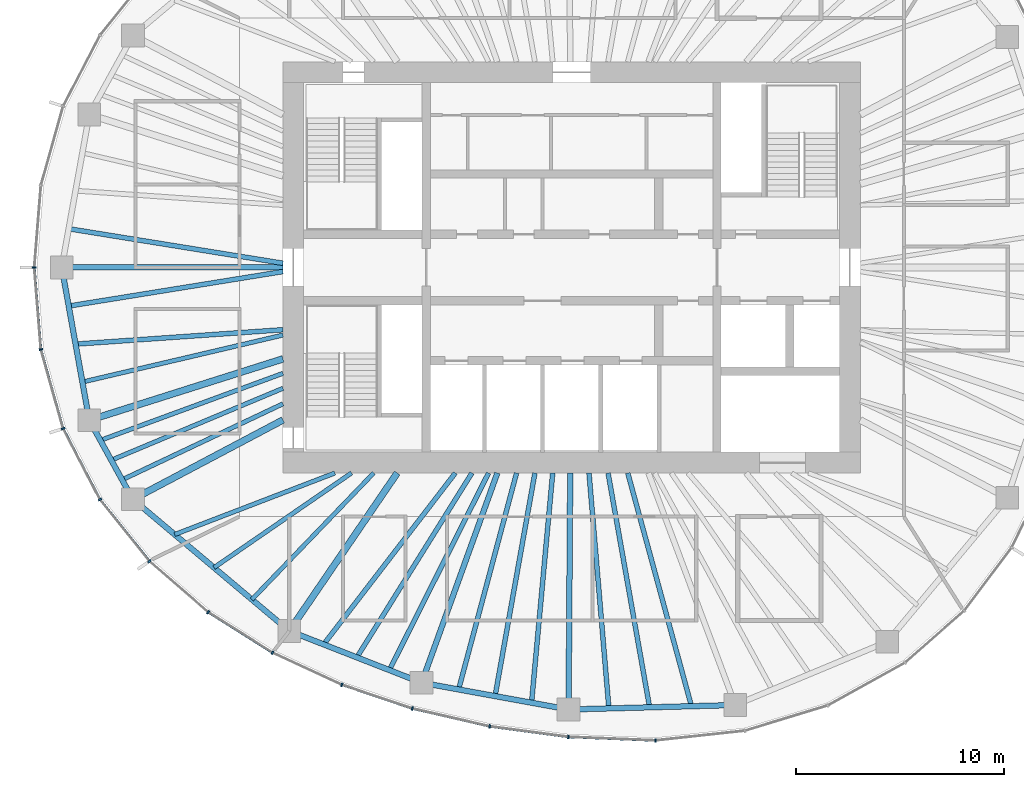
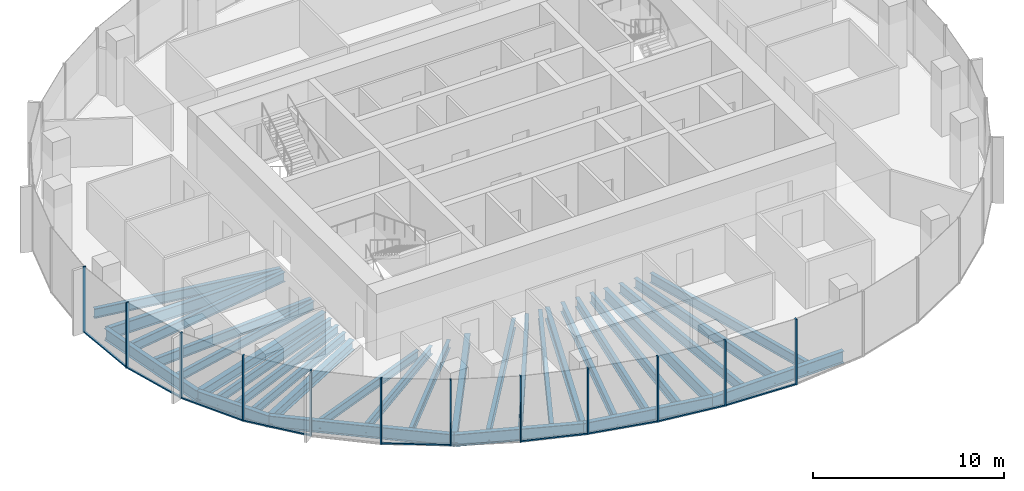
# One storey, part 2 of 12: 31 beams, 21 members, 6 elements without a shape of their own.
"""IFC4 building model written with IfcOpenShell, lengths in metres."""

from ifc_helpers import new_model, si_unit, direction, frame, origin, origin_2d, place, context, subcontext, project, spatial, rectangle, i_section, extrude, material, material_profile, profile_set, type_object, element, aggregate, save


model = new_model("IFC4")

# Units and contexts
model_context = context("Model", 3, precision=1e-05, world=origin(), true_north=direction((0.0, 1.0)))
body_context = subcontext(model_context, "Body", "Model", "MODEL_VIEW")
ifc_project = project(units=[si_unit("LENGTHUNIT", "METRE"), si_unit("AREAUNIT", "SQUARE_METRE"), si_unit("VOLUMEUNIT", "CUBIC_METRE"), si_unit("PLANEANGLEUNIT", "RADIAN"), si_unit("MASSUNIT", "GRAM", prefix="KILO")], contexts=[model_context])

# Site, building, storey
site_placement = place(None, origin())
site = spatial("IfcSite", under=ifc_project, at=site_placement, CompositionType="ELEMENT")
building_placement = place(site_placement, origin())
building = spatial("IfcBuilding", under=site, at=building_placement, Name="Ghaith Harvest Tower", CompositionType="ELEMENT")
storey_placement = place(building_placement, frame((0.0, 0.0, 300.60009765625)))
storey = spatial("IfcBuildingStorey", under=building, at=storey_placement, Name="L67", CompositionType="ELEMENT", Elevation=300.60009765625)

# Curtain wall, members
ifc_material_1 = material(Name="Black anodised aluminium and fritted glass", Category="aluminium")
curtain_wall_type = type_object("IfcCurtainWallType", Name="CW-T CURTAIN WALL", PredefinedType="NOTDEFINED", material=ifc_material_1)
curtain_wall_1_placement = place(storey_placement, origin())
curtain_wall_1 = element("IfcCurtainWall", 1, at=curtain_wall_1_placement, inside=storey, type_object=curtain_wall_type, Name="Curtain wall CW-T bay 11 L67", PredefinedType="NOTDEFINED")
ifc_material_2 = material(Name="Aluminium, black anodised", Category="aluminium")
ifc_material_profile_1 = material_profile(ifc_material_2, rectangle(XDim=0.080078125, YDim=0.179931640625, at=origin_2d()), Name="CW-T MULLION 80x180")
ifc_profile_set_1 = profile_set([ifc_material_profile_1], Name="Aluminium, black anodised")
member_type_1 = type_object("IfcMemberType", Name="CW-T MULLION 80x180", PredefinedType="MULLION", material=ifc_profile_set_1)
member_1_placement = place(storey_placement, frame((-25.8701171875, 0.0, 0.0), z_axis=(0.0, 0.0, 1.0), x_axis=(-1.05e-10, -1.0, 0.0)))
member_1 = element("IfcMember", 2, at=member_1_placement, type_object=member_type_1, Name="CW-T mullion 1 bay 11 L67", PredefinedType="MULLION", context=body_context, shape_type="SweptSolid", body=[
    extrude(rectangle(XDim=0.080078125, YDim=0.179931640625, at=origin_2d()), origin(), (0.0, 0.0, 1.0), 4.199951171875),
])
member_2_placement = place(storey_placement, frame((-25.5517578125, -3.9521484375, 0.0), z_axis=(0.0, 0.0, 1.0), x_axis=(0.176001391003, -0.98438991785, 0.0)))
member_2 = element("IfcMember", 3, at=member_2_placement, type_object=member_type_1, Name="CW-T mullion 2 bay 11 L67", PredefinedType="MULLION", context=body_context, shape_type="SweptSolid", body=[
    extrude(rectangle(XDim=0.080078125, YDim=0.179931640625, at=origin_2d()), origin(), (0.0, 0.0, 1.0), 4.199951171875),
])

curtain_wall_2_placement = place(storey_placement, origin())
curtain_wall_2 = element("IfcCurtainWall", 4, at=curtain_wall_2_placement, inside=storey, type_object=curtain_wall_type, Name="Curtain wall CW-T bay 12 L67", PredefinedType="NOTDEFINED")
member_3_placement = place(storey_placement, frame((-24.482666015625, -7.759033203125, 0.0), z_axis=(0.0, 0.0, 1.0), x_axis=(0.366473104734, -0.930428645038, 0.0)))
member_3 = element("IfcMember", 5, at=member_3_placement, type_object=member_type_1, Name="CW-T mullion 1 bay 12 L67", PredefinedType="MULLION", context=body_context, shape_type="SweptSolid", body=[
    extrude(rectangle(XDim=0.080078125, YDim=0.179931640625, at=origin_2d()), origin(), (0.0, 0.0, 1.0), 4.199951171875),
])
member_4_placement = place(storey_placement, frame((-22.706298828125, -11.176513671875, 0.0), z_axis=(0.0, 0.0, 1.0), x_axis=(0.545865412431, -0.837872873121, 0.0)))
member_4 = element("IfcMember", 6, at=member_4_placement, type_object=member_type_1, Name="CW-T mullion 2 bay 12 L67", PredefinedType="MULLION", context=body_context, shape_type="SweptSolid", body=[
    extrude(rectangle(XDim=0.080078125, YDim=0.179931640625, at=origin_2d()), origin(), (0.0, 0.0, 1.0), 4.199951171875),
])

curtain_wall_3_placement = place(storey_placement, origin())
curtain_wall_3 = element("IfcCurtainWall", 7, at=curtain_wall_3_placement, inside=storey, type_object=curtain_wall_type, Name="Curtain wall CW-T bay 13 L67", PredefinedType="NOTDEFINED")
member_5_placement = place(storey_placement, frame((-20.324462890625, -14.141845703125, 0.0), z_axis=(0.0, 0.0, 1.0), x_axis=(0.692826491831, -0.721104328248, 0.0)))
member_5 = element("IfcMember", 8, at=member_5_placement, type_object=member_type_1, Name="CW-T mullion 1 bay 13 L67", PredefinedType="MULLION", context=body_context, shape_type="SweptSolid", body=[
    extrude(rectangle(XDim=0.080078125, YDim=0.179931640625, at=origin_2d()), origin(), (0.0, 0.0, 1.0), 4.199951171875),
])
member_6_placement = place(storey_placement, frame((-17.49462890625, -16.600830078125, 0.0), z_axis=(0.0, 0.0, 1.0), x_axis=(0.802189888845, -0.59706899286, 0.0)))
member_6 = element("IfcMember", 9, at=member_6_placement, type_object=member_type_1, Name="CW-T mullion 2 bay 13 L67", PredefinedType="MULLION", context=body_context, shape_type="SweptSolid", body=[
    extrude(rectangle(XDim=0.080078125, YDim=0.179931640625, at=origin_2d()), origin(), (0.0, 0.0, 1.0), 4.199951171875),
])

curtain_wall_4_placement = place(storey_placement, origin())
curtain_wall_4 = element("IfcCurtainWall", 10, at=curtain_wall_4_placement, inside=storey, type_object=curtain_wall_type, Name="Curtain wall CW-T bay 14 L67", PredefinedType="NOTDEFINED")
member_7_placement = place(storey_placement, frame((-14.40478515625, -18.5478515625, 0.0), z_axis=(0.0, 0.0, 1.0), x_axis=(0.878671732732, -0.477426419564, 0.0)))
member_7 = element("IfcMember", 11, at=member_7_placement, type_object=member_type_1, Name="CW-T mullion 1 bay 14 L67", PredefinedType="MULLION", context=body_context, shape_type="SweptSolid", body=[
    extrude(rectangle(XDim=0.080078125, YDim=0.179931640625, at=origin_2d()), origin(), (0.0, 0.0, 1.0), 4.199951171875),
])
member_8_placement = place(storey_placement, frame((-11.0673828125, -20.093017578125, 0.0), z_axis=(0.0, 0.0, 1.0), x_axis=(0.92862442092, -0.371021138038, 0.0)))
member_8 = element("IfcMember", 12, at=member_8_placement, type_object=member_type_1, Name="CW-T mullion 2 bay 14 L67", PredefinedType="MULLION", context=body_context, shape_type="SweptSolid", body=[
    extrude(rectangle(XDim=0.080078125, YDim=0.179931640625, at=origin_2d()), origin(), (0.0, 0.0, 1.0), 4.199951171875),
])

curtain_wall_5_placement = place(storey_placement, origin())
curtain_wall_5 = element("IfcCurtainWall", 13, at=curtain_wall_5_placement, inside=storey, type_object=curtain_wall_type, Name="Curtain wall CW-T bay 15 L67", PredefinedType="NOTDEFINED")
member_9_placement = place(storey_placement, frame((-7.6708984375, -21.23828125, 0.0), z_axis=(0.0, 0.0, 1.0), x_axis=(0.962552491659, -0.271095372151, 0.0)))
member_9 = element("IfcMember", 14, at=member_9_placement, type_object=member_type_1, Name="CW-T mullion 1 bay 15 L67", PredefinedType="MULLION", context=body_context, shape_type="SweptSolid", body=[
    extrude(rectangle(XDim=0.080078125, YDim=0.179931640625, at=origin_2d()), origin(), (0.0, 0.0, 1.0), 4.199951171875),
])
member_10_placement = place(storey_placement, frame((-3.946533203125, -22.0986328125, 0.0), z_axis=(0.0, 0.0, 1.0), x_axis=(0.983843447712, -0.179030920217, 0.0)))
member_10 = element("IfcMember", 15, at=member_10_placement, type_object=member_type_1, Name="CW-T mullion 2 bay 15 L67", PredefinedType="MULLION", context=body_context, shape_type="SweptSolid", body=[
    extrude(rectangle(XDim=0.080078125, YDim=0.179931640625, at=origin_2d()), origin(), (0.0, 0.0, 1.0), 4.199951171875),
])

curtain_wall_6_placement = place(storey_placement, origin())
curtain_wall_6 = element("IfcCurtainWall", 16, at=curtain_wall_6_placement, inside=storey, type_object=curtain_wall_type, Name="Curtain wall CW-T bay 16 L67", PredefinedType="NOTDEFINED")
member_11_placement = place(storey_placement, frame((-0.15478515625, -22.60595703125, 0.0), z_axis=(0.0, 0.0, 1.0), x_axis=(0.996414855524, -0.084601629366, 0.0)))
member_11 = element("IfcMember", 17, at=member_11_placement, type_object=member_type_1, Name="CW-T mullion 1 bay 16 L67", PredefinedType="MULLION", context=body_context, shape_type="SweptSolid", body=[
    extrude(rectangle(XDim=0.080078125, YDim=0.179931640625, at=origin_2d()), origin(), (0.0, 0.0, 1.0), 4.199951171875),
])
member_12_placement = place(storey_placement, frame((4.037841796875, -22.776611328125, 0.0), z_axis=(0.0, 0.0, 1.0), x_axis=(0.999388631241, 0.034962318939, 0.0)))
member_12 = element("IfcMember", 18, at=member_12_placement, type_object=member_type_1, Name="CW-T mullion 2 bay 16 L67", PredefinedType="MULLION", context=body_context, shape_type="SweptSolid", body=[
    extrude(rectangle(XDim=0.080078125, YDim=0.179931640625, at=origin_2d()), origin(), (0.0, 0.0, 1.0), 4.199951171875),
])

# Member
ifc_material_3 = material(Name="Aluminium, black anodised", Category="aluminium")
ifc_material_profile_2 = material_profile(ifc_material_3, rectangle(XDim=0.1201171875, YDim=0.080078125, at=origin_2d()), Name="CW-T TRANSOM 120x80")
ifc_profile_set_2 = profile_set([ifc_material_profile_2], Name="Aluminium, black anodised")
member_type_2 = type_object("IfcMemberType", Name="CW-T TRANSOM 120x80", PredefinedType="USERDEFINED", material=ifc_profile_set_2)
member_13_placement = place(storey_placement, frame((-25.86669921875, -0.039794921875, 0.039794921875), z_axis=(0.08025226314, -0.996774585481, 0.0), x_axis=(0.996774585481, 0.08025226314, 0.0)))
member_13 = element("IfcMember", 19, at=member_13_placement, type_object=member_type_2, Name="CW-T transom 1 bay 11 L67", ObjectType="TRANSOM", PredefinedType="USERDEFINED", context=body_context, shape_type="SweptSolid", body=[
    extrude(rectangle(XDim=0.1201171875, YDim=0.080078125, at=origin_2d()), origin(), (0.0, 0.0, 1.0), 3.884765625),
])

member_14_placement = place(storey_placement, frame((-25.541015625, -3.990478515625, 0.039794921875), z_axis=(0.270340422972, -0.962764797709, 0.0), x_axis=(0.962764797709, 0.270340422972, 0.0)))
member_14 = element("IfcMember", 20, at=member_14_placement, type_object=member_type_2, Name="CW-T transom 2 bay 11 L67", ObjectType="TRANSOM", PredefinedType="USERDEFINED", context=body_context, shape_type="SweptSolid", body=[
    extrude(rectangle(XDim=0.1201171875, YDim=0.080078125, at=origin_2d()), origin(), (0.0, 0.0, 1.0), 3.874267578125),
])

aggregate(curtain_wall_1, [member_1, member_13, member_2, member_14])

member_15_placement = place(storey_placement, frame((-24.46435546875, -7.79443359375, 0.039794921875), z_axis=(0.461242681347, -0.887274021317, 0.0), x_axis=(0.887274021317, 0.461242681347, 0.0)))
member_15 = element("IfcMember", 21, at=member_15_placement, type_object=member_type_2, Name="CW-T transom 1 bay 12 L67", ObjectType="TRANSOM", PredefinedType="USERDEFINED", context=body_context, shape_type="SweptSolid", body=[
    extrude(rectangle(XDim=0.1201171875, YDim=0.080078125, at=origin_2d()), origin(), (0.0, 0.0, 1.0), 3.77197265625),
])

member_16_placement = place(storey_placement, frame((-22.68115234375, -11.207763671875, 0.039794921875), z_axis=(0.626253073761, -0.779619835307, 0.0), x_axis=(0.779619835307, 0.626253073761, 0.0)))
member_16 = element("IfcMember", 22, at=member_16_placement, type_object=member_type_2, Name="CW-T transom 2 bay 12 L67", ObjectType="TRANSOM", PredefinedType="USERDEFINED", context=body_context, shape_type="SweptSolid", body=[
    extrude(rectangle(XDim=0.1201171875, YDim=0.080078125, at=origin_2d()), origin(), (0.0, 0.0, 1.0), 3.723388671875),
])

aggregate(curtain_wall_2, [member_3, member_15, member_4, member_16])

member_17_placement = place(storey_placement, frame((-17.4609375, -16.6220703125, 0.039794921875), z_axis=(0.846053602505, -0.533097835006, 0.0), x_axis=(0.533097835006, 0.846053602505, 0.0)))
member_17 = element("IfcMember", 23, at=member_17_placement, type_object=member_type_2, Name="CW-T transom 2 bay 13 L67", ObjectType="TRANSOM", PredefinedType="USERDEFINED", context=body_context, shape_type="SweptSolid", body=[
    extrude(rectangle(XDim=0.1201171875, YDim=0.080078125, at=origin_2d()), origin(), (0.0, 0.0, 1.0), 3.572021484375),
])

aggregate(curtain_wall_3, [member_5, member_6, member_17])

member_18_placement = place(storey_placement, frame((-11.029541015625, -20.105712890625, 0.039794921875), z_axis=(0.9475698206, -0.319548799228, 0.0), x_axis=(0.319548799228, 0.9475698206, 0.0)))
member_18 = element("IfcMember", 24, at=member_18_placement, type_object=member_type_2, Name="CW-T transom 2 bay 14 L67", ObjectType="TRANSOM", PredefinedType="USERDEFINED", context=body_context, shape_type="SweptSolid", body=[
    extrude(rectangle(XDim=0.1201171875, YDim=0.080078125, at=origin_2d()), origin(), (0.0, 0.0, 1.0), 3.504638671875),
])

aggregate(curtain_wall_4, [member_7, member_8, member_18])

member_19_placement = place(storey_placement, frame((-7.6318359375, -21.247314453125, 0.039794921875), z_axis=(0.974344997799, -0.225059603803, 0.0), x_axis=(0.225059603803, 0.974344997799, 0.0)))
member_19 = element("IfcMember", 25, at=member_19_placement, type_object=member_type_2, Name="CW-T transom 1 bay 15 L67", ObjectType="TRANSOM", PredefinedType="USERDEFINED", context=body_context, shape_type="SweptSolid", body=[
    extrude(rectangle(XDim=0.1201171875, YDim=0.080078125, at=origin_2d()), origin(), (0.0, 0.0, 1.0), 3.742431640625),
])

member_20_placement = place(storey_placement, frame((-3.90673828125, -22.10400390625, 0.039794921875), z_axis=(0.99117202259, -0.132582131655, 0.0), x_axis=(0.132582131655, 0.99117202259, 0.0)))
member_20 = element("IfcMember", 26, at=member_20_placement, type_object=member_type_2, Name="CW-T transom 2 bay 15 L67", ObjectType="TRANSOM", PredefinedType="USERDEFINED", context=body_context, shape_type="SweptSolid", body=[
    extrude(rectangle(XDim=0.1201171875, YDim=0.080078125, at=origin_2d()), origin(), (0.0, 0.0, 1.0), 3.745361328125),
])

aggregate(curtain_wall_5, [member_9, member_19, member_10, member_20])

member_21_placement = place(storey_placement, frame((-0.11474609375, -22.607666015625, 0.039794921875), z_axis=(0.999174207562, -0.040631304968, 0.0), x_axis=(0.040631304968, 0.999174207562, 0.0)))
member_21 = element("IfcMember", 27, at=member_21_placement, type_object=member_type_2, Name="CW-T transom 1 bay 16 L67", ObjectType="TRANSOM", PredefinedType="USERDEFINED", context=body_context, shape_type="SweptSolid", body=[
    extrude(rectangle(XDim=0.1201171875, YDim=0.080078125, at=origin_2d()), origin(), (0.0, 0.0, 1.0), 4.115966796875),
])

aggregate(curtain_wall_6, [member_11, member_21, member_12])

# Beams
ifc_material_4 = material(Name="Steel ASTM A992 Grade 50", Category="steel")
ifc_material_profile_3 = material_profile(ifc_material_4, i_section(OverallWidth=0.26611328125, OverallDepth=0.758056640625, WebThickness=0.013916015625, FlangeThickness=0.019287109375, at=origin_2d()), Name="W760X161")
ifc_profile_set_3 = profile_set([ifc_material_profile_3], Name="Steel ASTM A992 Grade 50")
beam_type_1 = type_object("IfcBeamType", Name="E760-161 W760X161", PredefinedType="SPANDREL", material=ifc_profile_set_3)
beam_1_placement = place(storey_placement, frame((-24.550048828125, 0.0, -0.549072265625), z_axis=(0.177296554745, -0.984157473007, 0.0), x_axis=(0.984157473007, 0.177296554745, 0.0)))
element("IfcBeam", 28, at=beam_1_placement, inside=storey, type_object=beam_type_1, Name="Edge beam E11 L67", PredefinedType="SPANDREL", context=body_context, shape_type="SweptSolid", body=[
    extrude(i_section(OverallWidth=0.26611328125, OverallDepth=0.758056640625, WebThickness=0.013916015625, FlangeThickness=0.019287109375, at=origin_2d()), origin(), (0.0, 0.0, 1.0), 7.478515625),
])
beam_2_placement = place(storey_placement, frame((-23.22412109375, -7.360107421875, -0.549072265625), z_axis=(0.482955575345, -0.875644855089, 0.0), x_axis=(0.875644855089, 0.482955575345, 0.0)))
element("IfcBeam", 29, at=beam_2_placement, inside=storey, type_object=beam_type_1, Name="Edge beam E12 L67", PredefinedType="SPANDREL", context=body_context, shape_type="SweptSolid", body=[
    extrude(i_section(OverallWidth=0.26611328125, OverallDepth=0.758056640625, WebThickness=0.013916015625, FlangeThickness=0.019287109375, at=origin_2d()), origin(), (0.0, 0.0, 1.0), 4.346435546875),
])
beam_3_placement = place(storey_placement, frame((-21.125, -11.166015625, -0.549072265625), z_axis=(0.765021818761, -0.64400436087, 0.0), x_axis=(0.64400436087, 0.765021818761, 0.0)))
element("IfcBeam", 30, at=beam_3_placement, inside=storey, type_object=beam_type_1, Name="Edge beam E13 L67", PredefinedType="SPANDREL", context=body_context, shape_type="SweptSolid", body=[
    extrude(i_section(OverallWidth=0.26611328125, OverallDepth=0.758056640625, WebThickness=0.013916015625, FlangeThickness=0.019287109375, at=origin_2d()), origin(), (0.0, 0.0, 1.0), 9.8427734375),
])
beam_4_placement = place(storey_placement, frame((-13.594970703125, -17.5048828125, -0.549072265625), z_axis=(0.931322768207, -0.364194867371, 0.0), x_axis=(0.364194867371, 0.931322768207, 0.0)))
element("IfcBeam", 31, at=beam_4_placement, inside=storey, type_object=beam_type_1, Name="Edge beam E14 L67", PredefinedType="SPANDREL", context=body_context, shape_type="SweptSolid", body=[
    extrude(i_section(OverallWidth=0.26611328125, OverallDepth=0.758056640625, WebThickness=0.013916015625, FlangeThickness=0.019287109375, at=origin_2d()), origin(), (0.0, 0.0, 1.0), 6.843017578125),
])
beam_5_placement = place(storey_placement, frame((-7.221923828125, -19.9970703125, -0.549072265625), z_axis=(0.983813921429, -0.179193102551, 0.0), x_axis=(0.179193102551, 0.983813921429, 0.0)))
element("IfcBeam", 32, at=beam_5_placement, inside=storey, type_object=beam_type_1, Name="Edge beam E15 L67", PredefinedType="SPANDREL", context=body_context, shape_type="SweptSolid", body=[
    extrude(i_section(OverallWidth=0.26611328125, OverallDepth=0.758056640625, WebThickness=0.013916015625, FlangeThickness=0.019287109375, at=origin_2d()), origin(), (0.0, 0.0, 1.0), 7.1923828125),
])
beam_6_placement = place(storey_placement, frame((-0.14599609375, -21.285888671875, -0.549072265625), z_axis=(0.999644979696, 0.02664422206, 0.0), x_axis=(-0.02664422206, 0.999644979696, 0.0)))
element("IfcBeam", 33, at=beam_6_placement, inside=storey, type_object=beam_type_1, Name="Edge beam E16 L67", PredefinedType="SPANDREL", context=body_context, shape_type="SweptSolid", body=[
    extrude(i_section(OverallWidth=0.26611328125, OverallDepth=0.758056640625, WebThickness=0.013916015625, FlangeThickness=0.019287109375, at=origin_2d()), origin(), (0.0, 0.0, 1.0), 8.02685546875),
])
ifc_material_5 = material(Name="Steel ASTM A992 Grade 50", Category="steel")
ifc_material_profile_4 = material_profile(ifc_material_5, i_section(OverallWidth=0.323974609375, OverallDepth=0.611083984375, WebThickness=0.0126953125, FlangeThickness=0.01904296875, at=origin_2d()), Name="W610X155")
ifc_profile_set_4 = profile_set([ifc_material_profile_4], Name="Steel ASTM A992 Grade 50")
beam_type_2 = type_object("IfcBeamType", Name="G610-155 W610X155", PredefinedType="BEAM", material=ifc_profile_set_4)
beam_7_placement = place(storey_placement, frame((-13.89990234375, -4.4052734375, -0.4755859375), z_axis=(-0.953278508772, -0.302092841215, 0.0), x_axis=(0.302092841215, -0.953278508772, 0.0)))
element("IfcBeam", 34, at=beam_7_placement, inside=storey, type_object=beam_type_2, Name="Radial girder G12 L67", PredefinedType="BEAM", context=body_context, shape_type="SweptSolid", body=[
    extrude(i_section(OverallWidth=0.323974609375, OverallDepth=0.611083984375, WebThickness=0.0126953125, FlangeThickness=0.01904296875, at=origin_2d()), origin(), (0.0, 0.0, 1.0), 9.78125),
])
beam_8_placement = place(storey_placement, frame((-13.89990234375, -7.34716796875, -0.4755859375), z_axis=(-0.88410164037, -0.467294649546, 0.0), x_axis=(0.467294649546, -0.88410164037, 0.0)))
element("IfcBeam", 35, at=beam_8_placement, inside=storey, type_object=beam_type_2, Name="Radial girder G13 L67", PredefinedType="BEAM", context=body_context, shape_type="SweptSolid", body=[
    extrude(i_section(OverallWidth=0.323974609375, OverallDepth=0.611083984375, WebThickness=0.0126953125, FlangeThickness=0.01904296875, at=origin_2d()), origin(), (0.0, 0.0, 1.0), 8.17236328125),
])
beam_9_placement = place(storey_placement, frame((-8.39990234375, -9.89990234375, -0.4755859375), z_axis=(-0.564067018201, -0.825729010619, 0.0), x_axis=(0.825729010619, -0.564067018201, 0.0)))
element("IfcBeam", 36, at=beam_9_placement, inside=storey, type_object=beam_type_2, Name="Radial girder G14 L67", PredefinedType="BEAM", context=body_context, shape_type="SweptSolid", body=[
    extrude(i_section(OverallWidth=0.323974609375, OverallDepth=0.611083984375, WebThickness=0.0126953125, FlangeThickness=0.01904296875, at=origin_2d()), origin(), (0.0, 0.0, 1.0), 9.2099609375),
])
ifc_material_6 = material(Name="Steel ASTM A992 Grade 50", Category="steel")
ifc_material_profile_5 = material_profile(ifc_material_6, i_section(OverallWidth=0.26611328125, OverallDepth=0.758056640625, WebThickness=0.013916015625, FlangeThickness=0.019287109375, at=origin_2d()), Name="W760X161")
ifc_profile_set_5 = profile_set([ifc_material_profile_5], Name="Steel ASTM A992 Grade 50")
beam_type_3 = type_object("IfcBeamType", Name="G760-161 W760X161", PredefinedType="BEAM", material=ifc_profile_set_5)
beam_10_placement = place(storey_placement, frame((-13.89990234375, 0.0, -0.549072265625), z_axis=(-1.0, 0.0, 0.0), x_axis=(0.0, -1.0, 0.0)))
element("IfcBeam", 37, at=beam_10_placement, inside=storey, type_object=beam_type_3, Name="Radial girder G11 L67", PredefinedType="BEAM", context=body_context, shape_type="SweptSolid", body=[
    extrude(i_section(OverallWidth=0.26611328125, OverallDepth=0.758056640625, WebThickness=0.013916015625, FlangeThickness=0.019287109375, at=origin_2d()), origin(), (0.0, 0.0, 1.0), 10.650146484375),
])
beam_11_placement = place(storey_placement, frame((-3.57568359375, -9.89990234375, -0.549072265625), z_axis=(-0.339647816823, -0.940552688863, 0.0), x_axis=(0.940552688863, -0.339647816823, 0.0)))
element("IfcBeam", 38, at=beam_11_placement, inside=storey, type_object=beam_type_3, Name="Radial girder G15 L67", PredefinedType="BEAM", context=body_context, shape_type="SweptSolid", body=[
    extrude(i_section(OverallWidth=0.26611328125, OverallDepth=0.758056640625, WebThickness=0.013916015625, FlangeThickness=0.019287109375, at=origin_2d()), origin(), (0.0, 0.0, 1.0), 10.7353515625),
])
beam_12_placement = place(storey_placement, frame((-0.06787109375, -9.89990234375, -0.549072265625), z_axis=(-0.006861343299, -0.999976460707, 0.0), x_axis=(0.999976460707, -0.006861343299, 0.0)))
element("IfcBeam", 39, at=beam_12_placement, inside=storey, type_object=beam_type_3, Name="Radial girder G16 L67", PredefinedType="BEAM", context=body_context, shape_type="SweptSolid", body=[
    extrude(i_section(OverallWidth=0.26611328125, OverallDepth=0.758056640625, WebThickness=0.013916015625, FlangeThickness=0.019287109375, at=origin_2d()), origin(), (0.0, 0.0, 1.0), 11.38623046875),
])
ifc_material_7 = material(Name="Steel ASTM A992 Grade 50", Category="steel")
ifc_material_profile_6 = material_profile(ifc_material_7, i_section(OverallWidth=0.2109375, OverallDepth=0.5390625, WebThickness=0.01171875, FlangeThickness=0.018798828125, at=origin_2d()), Name="W530X109")
ifc_profile_set_6 = profile_set([ifc_material_profile_6], Name="Steel ASTM A992 Grade 50")
beam_type_4 = type_object("IfcBeamType", Name="J530-109 W530X109", PredefinedType="JOIST", material=ifc_profile_set_6)
beam_13_placement = place(storey_placement, frame((-13.89990234375, -3.257080078125, -0.439697265625), z_axis=(-0.973623403271, -0.228161058472, 0.0), x_axis=(0.228161058472, -0.973623403271, 0.0)))
element("IfcBeam", 40, at=beam_13_placement, inside=storey, type_object=beam_type_4, Name="Joist J11.3 L67", PredefinedType="JOIST", context=body_context, shape_type="SweptSolid", body=[
    extrude(i_section(OverallWidth=0.2109375, OverallDepth=0.5390625, WebThickness=0.01171875, FlangeThickness=0.018798828125, at=origin_2d()), origin(), (0.0, 0.0, 1.0), 9.9169921875),
])
beam_14_placement = place(storey_placement, frame((-13.89990234375, -5.101318359375, -0.439697265625), z_axis=(-0.938776837502, -0.34452583266, 0.0), x_axis=(0.34452583266, -0.938776837502, 0.0)))
element("IfcBeam", 41, at=beam_14_placement, inside=storey, type_object=beam_type_4, Name="Joist J12.1 L67", PredefinedType="JOIST", context=body_context, shape_type="SweptSolid", body=[
    extrude(i_section(OverallWidth=0.2109375, OverallDepth=0.5390625, WebThickness=0.01171875, FlangeThickness=0.018798828125, at=origin_2d()), origin(), (0.0, 0.0, 1.0), 9.36376953125),
])
beam_15_placement = place(storey_placement, frame((-13.89990234375, -5.82080078125, -0.439697265625), z_axis=(-0.922394258818, -0.38624970071, 0.0), x_axis=(0.38624970071, -0.922394258818, 0.0)))
element("IfcBeam", 42, at=beam_15_placement, inside=storey, type_object=beam_type_4, Name="Joist J12.2 L67", PredefinedType="JOIST", context=body_context, shape_type="SweptSolid", body=[
    extrude(i_section(OverallWidth=0.2109375, OverallDepth=0.5390625, WebThickness=0.01171875, FlangeThickness=0.018798828125, at=origin_2d()), origin(), (0.0, 0.0, 1.0), 8.959716796875),
])
beam_16_placement = place(storey_placement, frame((-13.89990234375, -6.56787109375, -0.439697265625), z_axis=(-0.904165769726, -0.427181765594, 0.0), x_axis=(0.427181765594, -0.904165769726, 0.0)))
element("IfcBeam", 43, at=beam_16_placement, inside=storey, type_object=beam_type_4, Name="Joist J12.3 L67", PredefinedType="JOIST", context=body_context, shape_type="SweptSolid", body=[
    extrude(i_section(OverallWidth=0.2109375, OverallDepth=0.5390625, WebThickness=0.01171875, FlangeThickness=0.018798828125, at=origin_2d()), origin(), (0.0, 0.0, 1.0), 8.564208984375),
])
beam_17_placement = place(storey_placement, frame((-11.39990234375, -9.89990234375, -0.439697265625), z_axis=(-0.933583045329, -0.358361127181, 0.0), x_axis=(0.358361127181, -0.933583045329, 0.0)))
element("IfcBeam", 44, at=beam_17_placement, inside=storey, type_object=beam_type_4, Name="Joist J13.1 L67", PredefinedType="JOIST", context=body_context, shape_type="SweptSolid", body=[
    extrude(i_section(OverallWidth=0.2109375, OverallDepth=0.5390625, WebThickness=0.01171875, FlangeThickness=0.018798828125, at=origin_2d()), origin(), (0.0, 0.0, 1.0), 8.260986328125),
])
beam_18_placement = place(storey_placement, frame((-10.60009765625, -9.89990234375, -0.439697265625), z_axis=(-0.823778502511, -0.566911791023, 0.0), x_axis=(0.566911791023, -0.823778502511, 0.0)))
element("IfcBeam", 45, at=beam_18_placement, inside=storey, type_object=beam_type_4, Name="Joist J13.2 L67", PredefinedType="JOIST", context=body_context, shape_type="SweptSolid", body=[
    extrude(i_section(OverallWidth=0.2109375, OverallDepth=0.5390625, WebThickness=0.01171875, FlangeThickness=0.018798828125, at=origin_2d()), origin(), (0.0, 0.0, 1.0), 8.0341796875),
])
beam_19_placement = place(storey_placement, frame((-9.530517578125, -9.89990234375, -0.439697265625), z_axis=(-0.693536238632, -0.720421741554, 0.0), x_axis=(0.720421741554, -0.693536238632, 0.0)))
element("IfcBeam", 46, at=beam_19_placement, inside=storey, type_object=beam_type_4, Name="Joist J13.3 L67", PredefinedType="JOIST", context=body_context, shape_type="SweptSolid", body=[
    extrude(i_section(OverallWidth=0.2109375, OverallDepth=0.5390625, WebThickness=0.01171875, FlangeThickness=0.018798828125, at=origin_2d()), origin(), (0.0, 0.0, 1.0), 8.4541015625),
])
ifc_material_8 = material(Name="Steel ASTM A992 Grade 50", Category="steel")
ifc_material_profile_7 = material_profile(ifc_material_8, i_section(OverallWidth=0.22998046875, OverallDepth=0.616943359375, WebThickness=0.01318359375, FlangeThickness=0.022216796875, at=origin_2d()), Name="W610X140")
ifc_profile_set_7 = profile_set([ifc_material_profile_7], Name="Steel ASTM A992 Grade 50")
beam_type_5 = type_object("IfcBeamType", Name="J610-140 W610X140", PredefinedType="JOIST", material=ifc_profile_set_7)
for number, where, z_axis, x_axis, name in (
    (47, (-13.89990234375, 0.199951171875, -0.478515625), (-0.987271793524, 0.159042150743, 0.0), (-0.159042150743, -0.987271793524, 0.0), "Joist J10.3 L67"),
    (48, (-13.89990234375, -0.199951171875, -0.478515625), (-0.987271793524, -0.159042150743, 0.0), (0.159042150743, -0.987271793524, 0.0), "Joist J11.1 L67"),
):
    element("IfcBeam", number, at=place(storey_placement, frame(where, z_axis=z_axis, x_axis=x_axis)), inside=storey, type_object=beam_type_5, Name=name, PredefinedType="JOIST", context=body_context, shape_type="SweptSolid", body=[
        extrude(i_section(OverallWidth=0.22998046875, OverallDepth=0.616943359375, WebThickness=0.01318359375, FlangeThickness=0.022216796875, at=origin_2d()), origin(), (0.0, 0.0, 1.0), 10.44775390625),
    ])
beam_20_placement = place(storey_placement, frame((-13.89990234375, -3.0, -0.478515625), z_axis=(-0.997592478057, -0.069348739886, 0.0), x_axis=(0.069348739886, -0.997592478057, 0.0)))
element("IfcBeam", 49, at=beam_20_placement, inside=storey, type_object=beam_type_5, Name="Joist J11.2 L67", PredefinedType="JOIST", context=body_context, shape_type="SweptSolid", body=[
    extrude(i_section(OverallWidth=0.22998046875, OverallDepth=0.616943359375, WebThickness=0.01318359375, FlangeThickness=0.022216796875, at=origin_2d()), origin(), (0.0, 0.0, 1.0), 10.0087890625),
])
beam_21_placement = place(storey_placement, frame((-5.60009765625, -9.89990234375, -0.478515625), z_axis=(-0.609353577926, -0.792898617144, 0.0), x_axis=(0.792898617144, -0.609353577926, 0.0)))
element("IfcBeam", 50, at=beam_21_placement, inside=storey, type_object=beam_type_5, Name="Joist J14.1 L67", PredefinedType="JOIST", context=body_context, shape_type="SweptSolid", body=[
    extrude(i_section(OverallWidth=0.22998046875, OverallDepth=0.616943359375, WebThickness=0.01318359375, FlangeThickness=0.022216796875, at=origin_2d()), origin(), (0.0, 0.0, 1.0), 10.406982421875),
])
beam_22_placement = place(storey_placement, frame((-4.800048828125, -9.89990234375, -0.478515625), z_axis=(-0.529596254905, -0.848249849273, 0.0), x_axis=(0.848249849273, -0.529596254905, 0.0)))
element("IfcBeam", 51, at=beam_22_placement, inside=storey, type_object=beam_type_5, Name="Joist J14.2 L67", PredefinedType="JOIST", context=body_context, shape_type="SweptSolid", body=[
    extrude(i_section(OverallWidth=0.22998046875, OverallDepth=0.616943359375, WebThickness=0.01318359375, FlangeThickness=0.022216796875, at=origin_2d()), origin(), (0.0, 0.0, 1.0), 10.465087890625),
])
beam_23_placement = place(storey_placement, frame((-4.0, -9.89990234375, -0.478515625), z_axis=(-0.449556131123, -0.893252083664, 0.0), x_axis=(0.893252083664, -0.449556131123, 0.0)))
element("IfcBeam", 52, at=beam_23_placement, inside=storey, type_object=beam_type_5, Name="Joist J14.3 L67", PredefinedType="JOIST", context=body_context, shape_type="SweptSolid", body=[
    extrude(i_section(OverallWidth=0.22998046875, OverallDepth=0.616943359375, WebThickness=0.01318359375, FlangeThickness=0.022216796875, at=origin_2d()), origin(), (0.0, 0.0, 1.0), 10.62353515625),
])
beam_24_placement = place(storey_placement, frame((-2.651123046875, -9.89990234375, -0.478515625), z_axis=(-0.258678019609, -0.965963602923, 0.0), x_axis=(0.965963602923, -0.258678019609, 0.0)))
element("IfcBeam", 53, at=beam_24_placement, inside=storey, type_object=beam_type_5, Name="Joist J15.1 L67", PredefinedType="JOIST", context=body_context, shape_type="SweptSolid", body=[
    extrude(i_section(OverallWidth=0.22998046875, OverallDepth=0.616943359375, WebThickness=0.01318359375, FlangeThickness=0.022216796875, at=origin_2d()), origin(), (0.0, 0.0, 1.0), 10.78857421875),
])
beam_25_placement = place(storey_placement, frame((-1.76806640625, -9.89990234375, -0.478515625), z_axis=(-0.175803029262, -0.984425362789, 0.0), x_axis=(0.984425362789, -0.175803029262, 0.0)))
element("IfcBeam", 54, at=beam_25_placement, inside=storey, type_object=beam_type_5, Name="Joist J15.2 L67", PredefinedType="JOIST", context=body_context, shape_type="SweptSolid", body=[
    extrude(i_section(OverallWidth=0.22998046875, OverallDepth=0.616943359375, WebThickness=0.01318359375, FlangeThickness=0.022216796875, at=origin_2d()), origin(), (0.0, 0.0, 1.0), 10.9111328125),
])
beam_26_placement = place(storey_placement, frame((-0.9111328125, -9.89990234375, -0.478515625), z_axis=(-0.091651380942, -0.995791154998, 0.0), x_axis=(0.995791154998, -0.091651380942, 0.0)))
element("IfcBeam", 55, at=beam_26_placement, inside=storey, type_object=beam_type_5, Name="Joist J15.3 L67", PredefinedType="JOIST", context=body_context, shape_type="SweptSolid", body=[
    extrude(i_section(OverallWidth=0.22998046875, OverallDepth=0.616943359375, WebThickness=0.01318359375, FlangeThickness=0.022216796875, at=origin_2d()), origin(), (0.0, 0.0, 1.0), 11.10791015625),
])
beam_27_placement = place(storey_placement, frame((0.836669921875, -9.89990234375, -0.478515625), z_axis=(0.084201795166, -0.996448723061, 0.0), x_axis=(0.996448723061, 0.084201795166, 0.0)))
element("IfcBeam", 56, at=beam_27_placement, inside=storey, type_object=beam_type_5, Name="Joist J16.1 L67", PredefinedType="JOIST", context=body_context, shape_type="SweptSolid", body=[
    extrude(i_section(OverallWidth=0.22998046875, OverallDepth=0.616943359375, WebThickness=0.01318359375, FlangeThickness=0.022216796875, at=origin_2d()), origin(), (0.0, 0.0, 1.0), 11.37451171875),
])
beam_28_placement = place(storey_placement, frame((1.7548828125, -9.89990234375, -0.478515625), z_axis=(0.174572943493, -0.98464424408, 0.0), x_axis=(0.98464424408, 0.174572943493, 0.0)))
element("IfcBeam", 57, at=beam_28_placement, inside=storey, type_object=beam_type_5, Name="Joist J16.2 L67", PredefinedType="JOIST", context=body_context, shape_type="SweptSolid", body=[
    extrude(i_section(OverallWidth=0.22998046875, OverallDepth=0.616943359375, WebThickness=0.01318359375, FlangeThickness=0.022216796875, at=origin_2d()), origin(), (0.0, 0.0, 1.0), 11.4580078125),
])
beam_29_placement = place(storey_placement, frame((2.70361328125, -9.89990234375, -0.478515625), z_axis=(0.263468802698, -0.964667916956, 0.0), x_axis=(0.964667916956, 0.263468802698, 0.0)))
element("IfcBeam", 58, at=beam_29_placement, inside=storey, type_object=beam_type_5, Name="Joist J16.3 L67", PredefinedType="JOIST", context=body_context, shape_type="SweptSolid", body=[
    extrude(i_section(OverallWidth=0.22998046875, OverallDepth=0.616943359375, WebThickness=0.01318359375, FlangeThickness=0.022216796875, at=origin_2d()), origin(), (0.0, 0.0, 1.0), 11.639404296875),
])

save(model, "model.ifc")
